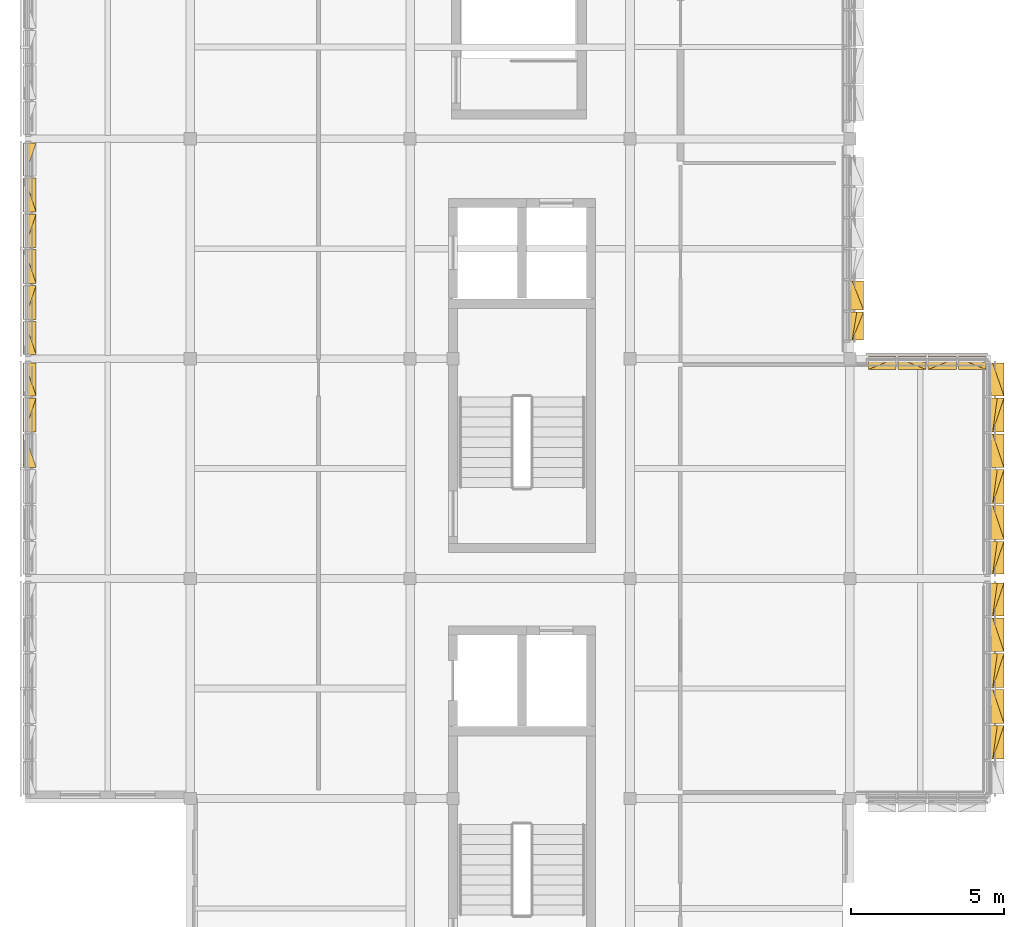
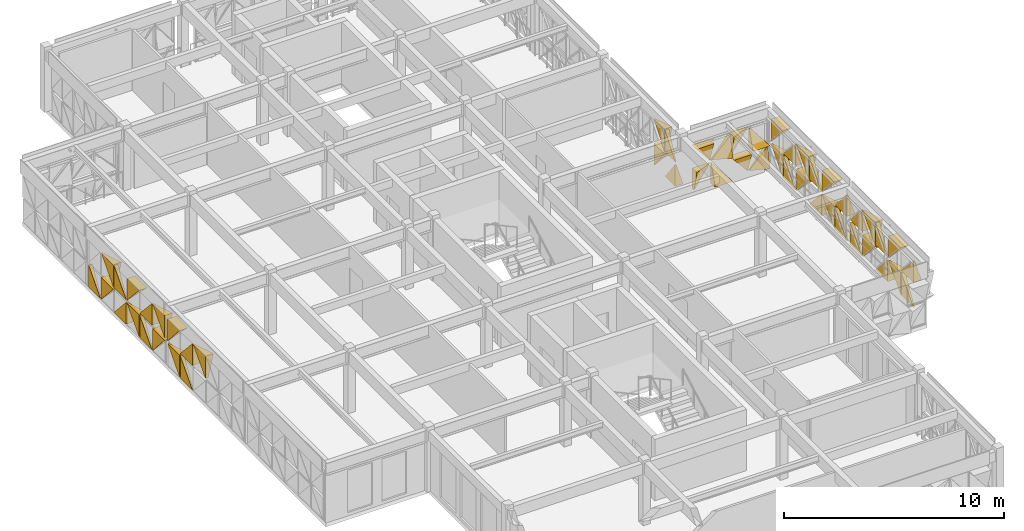
# One storey, part 23 of 25: 50 coverings.
"""IFC4 building model written with IfcOpenShell, lengths in metres."""

from ifc_helpers import new_model, si_unit, direction, frame, origin, place, context, subcontext, project, spatial, polygons, material, layer, layer_set, type_object, element, save


model = new_model("IFC4")

# Units and contexts
model_context = context("Model", 3, precision=1e-05, world=origin(), true_north=direction((0.0, 1.0)))
body_context = subcontext(model_context, "Body", "Model", "MODEL_VIEW")
ifc_project = project(units=[si_unit("LENGTHUNIT", "METRE"), si_unit("AREAUNIT", "SQUARE_METRE"), si_unit("VOLUMEUNIT", "CUBIC_METRE"), si_unit("PLANEANGLEUNIT", "RADIAN"), si_unit("MASSUNIT", "GRAM", prefix="KILO")], contexts=[model_context])

# Site, building, storey
site_placement = place(None, origin())
site = spatial("IfcSite", under=ifc_project, at=site_placement, CompositionType="ELEMENT")
building_placement = place(site_placement, origin())
building = spatial("IfcBuilding", under=site, at=building_placement, Name="Alvorim Cloister Faculty of Sciences", CompositionType="ELEMENT")
storey_placement = place(building_placement, frame((0.0, 0.0, 29.699951171875)))
storey = spatial("IfcBuildingStorey", under=building, at=storey_placement, Name="L08", CompositionType="ELEMENT", Elevation=29.699951171875)

# Coverings
ifc_material = material(Name="Perforated Bronze Alloy Sheet", Category="metal")
ifc_layer = layer(ifc_material, 0.0380859375)
ifc_layer_set = layer_set([ifc_layer], Name="Perforated Bronze Alloy Sheet")
covering_type = type_object("IfcCoveringType", Name="COV-TRI-BRZ", PredefinedType="CLADDING", material=ifc_layer_set)
covering_1_placement = place(storey_placement, frame((1.7548828125, 32.4326171875, 1.503662109375), z_axis=(0.0, 0.0, 1.0), x_axis=(0.0, 1.0, 0.0)))
element("IfcCovering", 1, at=covering_1_placement, inside=storey, type_object=covering_type, Name="Diagonal Solid Metal Triangle TRI-TL", PredefinedType="CLADDING", context=body_context, shape_type="Tessellation", body=[
    polygons([(1.1063984375, 0.0260009765625, 1.223388671875), (0.0, 0.0260009765625, 1.223388671875), (0.0, 0.0260009765625, 0.002), (1.1063984375, -0.03, 1.223388671875), (0.0, -0.4, 1.223388671875), (0.0, -0.13999999999999999, 0.002)], [[[1, 3, 2]], [[4, 5, 6]], [[1, 2, 5, 4]], [[2, 3, 6, 5]], [[3, 1, 4, 6]]], closed=True),
])
covering_2_placement = place(storey_placement, frame((1.7548828125, 33.605712890625, 0.14013671875), z_axis=(0.0, 0.0, 1.0), x_axis=(0.0, 1.0, 0.0)))
element("IfcCovering", 2, at=covering_2_placement, inside=storey, type_object=covering_type, Name="Diagonal Solid Metal Triangle TRI-BR", PredefinedType="CLADDING", context=body_context, shape_type="Tessellation", body=[
    polygons([(0.002, 0.0260009765625, 0.0), (1.1083984375, 0.0260009765625, 0.0), (1.1083984375, 0.0260009765625, 1.221388671875), (0.002, -0.03, 0.0), (1.1083984375, -0.4, 0.0), (1.1083984375, -0.18000000000000002, 1.221388671875)], [[[1, 3, 2]], [[4, 5, 6]], [[1, 2, 5, 4]], [[2, 3, 6, 5]], [[3, 1, 4, 6]]], closed=True),
])
covering_3_placement = place(storey_placement, frame((1.7548828125, 33.605712890625, 1.503662109375), z_axis=(0.0, 0.0, 1.0), x_axis=(0.0, 1.0, 0.0)))
element("IfcCovering", 3, at=covering_3_placement, inside=storey, type_object=covering_type, Name="Diagonal Solid Metal Triangle TRI-BL", PredefinedType="CLADDING", context=body_context, shape_type="Tessellation", body=[
    polygons([(0.0, 0.0260009765625, 0.0), (1.1063984375, 0.0260009765625, 0.0), (0.0, 0.0260009765625, 1.221388671875), (0.0, -0.4, 0.0), (1.1063984375, -0.4, 0.0), (0.0, -0.03, 1.221388671875)], [[[1, 3, 2]], [[4, 5, 6]], [[1, 2, 5, 4]], [[2, 3, 6, 5]], [[3, 1, 4, 6]]], closed=True),
])
covering_4_placement = place(storey_placement, frame((1.7548828125, 34.779052734375, 0.14013671875), z_axis=(0.0, 0.0, 1.0), x_axis=(0.0, 1.0, 0.0)))
element("IfcCovering", 4, at=covering_4_placement, inside=storey, type_object=covering_type, Name="Diagonal Solid Metal Triangle TRI-TL", PredefinedType="CLADDING", context=body_context, shape_type="Tessellation", body=[
    polygons([(1.073927734375, 0.0260009765625, 1.223388671875), (0.0, 0.0260009765625, 1.223388671875), (0.0, 0.0260009765625, 0.002), (1.073927734375, -0.03, 1.223388671875), (0.0, -0.4, 1.223388671875), (0.0, -0.13999999999999999, 0.002)], [[[1, 3, 2]], [[4, 5, 6]], [[1, 2, 5, 4]], [[2, 3, 6, 5]], [[3, 1, 4, 6]]], closed=True),
])
for number, where, z_axis, x_axis, name in (
    (5, (1.7548828125, 34.779052734375, 1.503662109375), (0.0, 0.0, 1.0), (0.0, 1.0, 0.0), "Diagonal Solid Metal Triangle TRI-TR"),
    (6, (1.7548828125, 36.14501953125, 0.14013671875), (0.0, 0.0, 1.0), (0.0, 1.0, 0.0), "Diagonal Solid Metal Triangle TRI-TR"),
):
    element("IfcCovering", number, at=place(storey_placement, frame(where, z_axis=z_axis, x_axis=x_axis)), inside=storey, type_object=covering_type, Name=name, PredefinedType="CLADDING", context=body_context, shape_type="Tessellation", body=[
        polygons([(1.075927734375, 0.0260009765625, 0.002), (1.075927734375, 0.0260009765625, 1.223388671875), (0.002, 0.0260009765625, 1.223388671875), (1.075927734375, -0.03, 0.002), (1.075927734375, -0.4, 1.223388671875), (0.002, -0.4, 1.223388671875)], [[[1, 3, 2]], [[4, 5, 6]], [[1, 2, 5, 4]], [[2, 3, 6, 5]], [[3, 1, 4, 6]]], closed=True),
    ])
covering_5_placement = place(storey_placement, frame((1.7548828125, 36.14501953125, 1.503662109375), z_axis=(0.0, 0.0, 1.0), x_axis=(0.0, 1.0, 0.0)))
element("IfcCovering", 7, at=covering_5_placement, inside=storey, type_object=covering_type, Name="Diagonal Solid Metal Triangle TRI-TL", PredefinedType="CLADDING", context=body_context, shape_type="Tessellation", body=[
    polygons([(1.073927734375, 0.0260009765625, 1.223388671875), (0.0, 0.0260009765625, 1.223388671875), (0.0, 0.0260009765625, 0.002), (1.073927734375, -0.03, 1.223388671875), (0.0, -0.4, 1.223388671875), (0.0, -0.13999999999999999, 0.002)], [[[1, 3, 2]], [[4, 5, 6]], [[1, 2, 5, 4]], [[2, 3, 6, 5]], [[3, 1, 4, 6]]], closed=True),
])
covering_6_placement = place(storey_placement, frame((1.7548828125, 37.285888671875, 0.14013671875), z_axis=(0.0, 0.0, 1.0), x_axis=(0.0, 1.0, 0.0)))
element("IfcCovering", 8, at=covering_6_placement, inside=storey, type_object=covering_type, Name="Diagonal Solid Metal Triangle TRI-BR", PredefinedType="CLADDING", context=body_context, shape_type="Tessellation", body=[
    polygons([(0.002, 0.0260009765625, 0.0), (1.1083984375, 0.0260009765625, 0.0), (1.1083984375, 0.0260009765625, 1.221388671875), (0.002, -0.03, 0.0), (1.1083984375, -0.4, 0.0), (1.1083984375, -0.18000000000000002, 1.221388671875)], [[[1, 3, 2]], [[4, 5, 6]], [[1, 2, 5, 4]], [[2, 3, 6, 5]], [[3, 1, 4, 6]]], closed=True),
])
covering_7_placement = place(storey_placement, frame((1.7548828125, 37.285888671875, 1.503662109375), z_axis=(0.0, 0.0, 1.0), x_axis=(0.0, 1.0, 0.0)))
element("IfcCovering", 9, at=covering_7_placement, inside=storey, type_object=covering_type, Name="Diagonal Solid Metal Triangle TRI-BL", PredefinedType="CLADDING", context=body_context, shape_type="Tessellation", body=[
    polygons([(0.0, 0.0260009765625, 0.0), (1.1063984375, 0.0260009765625, 0.0), (0.0, 0.0260009765625, 1.221388671875), (0.0, -0.4, 0.0), (1.1063984375, -0.4, 0.0), (0.0, -0.03, 1.221388671875)], [[[1, 3, 2]], [[4, 5, 6]], [[1, 2, 5, 4]], [[2, 3, 6, 5]], [[3, 1, 4, 6]]], closed=True),
])
covering_8_placement = place(storey_placement, frame((1.7548828125, 38.459228515625, 0.14013671875), z_axis=(0.0, 0.0, 1.0), x_axis=(0.0, 1.0, 0.0)))
element("IfcCovering", 10, at=covering_8_placement, inside=storey, type_object=covering_type, Name="Diagonal Solid Metal Triangle TRI-TL", PredefinedType="CLADDING", context=body_context, shape_type="Tessellation", body=[
    polygons([(1.1063984375, 0.0260009765625, 1.223388671875), (0.0, 0.0260009765625, 1.223388671875), (0.0, 0.0260009765625, 0.002), (1.1063984375, -0.03, 1.223388671875), (0.0, -0.4, 1.223388671875), (0.0, -0.13999999999999999, 0.002)], [[[1, 3, 2]], [[4, 5, 6]], [[1, 2, 5, 4]], [[2, 3, 6, 5]], [[3, 1, 4, 6]]], closed=True),
])
covering_9_placement = place(storey_placement, frame((1.7548828125, 38.459228515625, 1.503662109375), z_axis=(0.0, 0.0, 1.0), x_axis=(0.0, 1.0, 0.0)))
element("IfcCovering", 11, at=covering_9_placement, inside=storey, type_object=covering_type, Name="Diagonal Solid Metal Triangle TRI-TR", PredefinedType="CLADDING", context=body_context, shape_type="Tessellation", body=[
    polygons([(1.1083984375, 0.0260009765625, 0.002), (1.1083984375, 0.0260009765625, 1.223388671875), (0.002, 0.0260009765625, 1.223388671875), (1.1083984375, -0.03, 0.002), (1.1083984375, -0.4, 1.223388671875), (0.002, -0.4, 1.223388671875)], [[[1, 3, 2]], [[4, 5, 6]], [[1, 2, 5, 4]], [[2, 3, 6, 5]], [[3, 1, 4, 6]]], closed=True),
])
covering_10_placement = place(storey_placement, frame((1.7548828125, 39.632568359375, 0.14013671875), z_axis=(0.0, 0.0, 1.0), x_axis=(0.0, 1.0, 0.0)))
element("IfcCovering", 12, at=covering_10_placement, inside=storey, type_object=covering_type, Name="Diagonal Solid Metal Triangle TRI-BL", PredefinedType="CLADDING", context=body_context, shape_type="Tessellation", body=[
    polygons([(0.0, 0.0260009765625, 0.0), (1.1063984375, 0.0260009765625, 0.0), (0.0, 0.0260009765625, 1.221388671875), (0.0, -0.4, 0.0), (1.1063984375, -0.4, 0.0), (0.0, -0.03, 1.221388671875)], [[[1, 3, 2]], [[4, 5, 6]], [[1, 2, 5, 4]], [[2, 3, 6, 5]], [[3, 1, 4, 6]]], closed=True),
])
covering_11_placement = place(storey_placement, frame((1.7548828125, 39.632568359375, 1.503662109375), z_axis=(0.0, 0.0, 1.0), x_axis=(0.0, 1.0, 0.0)))
element("IfcCovering", 13, at=covering_11_placement, inside=storey, type_object=covering_type, Name="Diagonal Solid Metal Triangle TRI-BR", PredefinedType="CLADDING", context=body_context, shape_type="Tessellation", body=[
    polygons([(0.002, 0.0260009765625, 0.0), (1.1083984375, 0.0260009765625, 0.0), (1.1083984375, 0.0260009765625, 1.221388671875), (0.002, -0.03, 0.0), (1.1083984375, -0.4, 0.0), (1.1083984375, -0.18000000000000002, 1.221388671875)], [[[1, 3, 2]], [[4, 5, 6]], [[1, 2, 5, 4]], [[2, 3, 6, 5]], [[3, 1, 4, 6]]], closed=True),
])
covering_12_placement = place(storey_placement, frame((1.7548828125, 40.805908203125, 0.14013671875), z_axis=(0.0, 0.0, 1.0), x_axis=(0.0, 1.0, 0.0)))
element("IfcCovering", 14, at=covering_12_placement, inside=storey, type_object=covering_type, Name="Diagonal Solid Metal Triangle TRI-TR", PredefinedType="CLADDING", context=body_context, shape_type="Tessellation", body=[
    polygons([(1.1083984375, 0.0260009765625, 0.002), (1.1083984375, 0.0260009765625, 1.223388671875), (0.002, 0.0260009765625, 1.223388671875), (1.1083984375, -0.03, 0.002), (1.1083984375, -0.4, 1.223388671875), (0.002, -0.4, 1.223388671875)], [[[1, 3, 2]], [[4, 5, 6]], [[1, 2, 5, 4]], [[2, 3, 6, 5]], [[3, 1, 4, 6]]], closed=True),
])
covering_13_placement = place(storey_placement, frame((1.7548828125, 40.805908203125, 1.503662109375), z_axis=(0.0, 0.0, 1.0), x_axis=(0.0, 1.0, 0.0)))
element("IfcCovering", 15, at=covering_13_placement, inside=storey, type_object=covering_type, Name="Diagonal Solid Metal Triangle TRI-TL", PredefinedType="CLADDING", context=body_context, shape_type="Tessellation", body=[
    polygons([(1.1063984375, 0.0260009765625, 1.223388671875), (0.0, 0.0260009765625, 1.223388671875), (0.0, 0.0260009765625, 0.002), (1.1063984375, -0.03, 1.223388671875), (0.0, -0.4, 1.223388671875), (0.0, -0.13999999999999999, 0.002)], [[[1, 3, 2]], [[4, 5, 6]], [[1, 2, 5, 4]], [[2, 3, 6, 5]], [[3, 1, 4, 6]]], closed=True),
])
covering_14_placement = place(storey_placement, frame((1.7548828125, 41.979248046875, 0.14013671875), z_axis=(0.0, 0.0, 1.0), x_axis=(0.0, 1.0, 0.0)))
element("IfcCovering", 16, at=covering_14_placement, inside=storey, type_object=covering_type, Name="Diagonal Solid Metal Triangle TRI-BR", PredefinedType="CLADDING", context=body_context, shape_type="Tessellation", body=[
    polygons([(0.002, 0.0260009765625, 0.0), (1.075927734375, 0.0260009765625, 0.0), (1.075927734375, 0.0260009765625, 1.221388671875), (0.002, -0.03, 0.0), (1.075927734375, -0.4, 0.0), (1.075927734375, -0.18000000000000002, 1.221388671875)], [[[1, 3, 2]], [[4, 5, 6]], [[1, 2, 5, 4]], [[2, 3, 6, 5]], [[3, 1, 4, 6]]], closed=True),
])
covering_15_placement = place(storey_placement, frame((28.844970703125, 36.60498046875, 0.14013671875), z_axis=(0.0, 0.0, 1.0), x_axis=(0.0, 1.0, 0.0)))
element("IfcCovering", 17, at=covering_15_placement, inside=storey, type_object=covering_type, Name="Diagonal Solid Metal Triangle TRI-BL", PredefinedType="CLADDING", context=body_context, shape_type="Tessellation", body=[
    polygons([(0.0, 0.0260009765625, 0.0), (0.920607421875, 0.0260009765625, 0.0), (0.0, 0.0260009765625, 1.217970703125), (0.0, -0.4, 0.0), (0.920607421875, -0.4, 0.0), (0.0, -0.03, 1.217970703125)], [[[1, 3, 2]], [[4, 5, 6]], [[1, 2, 5, 4]], [[2, 3, 6, 5]], [[3, 1, 4, 6]]], closed=True),
])
covering_16_placement = place(storey_placement, frame((28.844970703125, 36.60498046875, 1.5), z_axis=(0.0, 0.0, 1.0), x_axis=(0.0, 1.0, 0.0)))
element("IfcCovering", 18, at=covering_16_placement, inside=storey, type_object=covering_type, Name="Diagonal Solid Metal Triangle TRI-BR", PredefinedType="CLADDING", context=body_context, shape_type="Tessellation", body=[
    polygons([(0.002, 0.0260009765625, 0.0), (0.922607421875, 0.0260009765625, 0.0), (0.922607421875, 0.0260009765625, 1.217970703125), (0.002, -0.03, 0.0), (0.922607421875, -0.4, 0.0), (0.922607421875, -0.18000000000000002, 1.217970703125)], [[[1, 3, 2]], [[4, 5, 6]], [[1, 2, 5, 4]], [[2, 3, 6, 5]], [[3, 1, 4, 6]]], closed=True),
])
covering_17_placement = place(storey_placement, frame((28.844970703125, 37.592529296875, 0.14013671875), z_axis=(0.0, 0.0, 1.0), x_axis=(0.0, 1.0, 0.0)))
element("IfcCovering", 19, at=covering_17_placement, inside=storey, type_object=covering_type, Name="Diagonal Solid Metal Triangle TRI-TR", PredefinedType="CLADDING", context=body_context, shape_type="Tessellation", body=[
    polygons([(0.955078125, 0.0260009765625, 0.002), (0.955078125, 0.0260009765625, 1.219970703125), (0.002, 0.0260009765625, 1.219970703125), (0.955078125, -0.03, 0.002), (0.955078125, -0.4, 1.219970703125), (0.002, -0.4, 1.219970703125)], [[[1, 3, 2]], [[4, 5, 6]], [[1, 2, 5, 4]], [[2, 3, 6, 5]], [[3, 1, 4, 6]]], closed=True),
])
covering_18_placement = place(storey_placement, frame((28.844970703125, 37.592529296875, 1.5), z_axis=(0.0, 0.0, 1.0), x_axis=(0.0, 1.0, 0.0)))
element("IfcCovering", 20, at=covering_18_placement, inside=storey, type_object=covering_type, Name="Diagonal Solid Metal Triangle TRI-TL", PredefinedType="CLADDING", context=body_context, shape_type="Tessellation", body=[
    polygons([(0.953078125, 0.0260009765625, 1.219970703125), (0.0, 0.0260009765625, 1.219970703125), (0.0, 0.0260009765625, 0.002), (0.953078125, -0.03, 1.219970703125), (0.0, -0.4, 1.219970703125), (0.0, -0.13999999999999999, 0.002)], [[[1, 3, 2]], [[4, 5, 6]], [[1, 2, 5, 4]], [[2, 3, 6, 5]], [[3, 1, 4, 6]]], closed=True),
])
covering_19_placement = place(storey_placement, frame((29.405029296875, 36.044921875, 0.14013671875), z_axis=(0.0, 0.0, 1.0), x_axis=(1.0, 0.0, 0.0)))
element("IfcCovering", 21, at=covering_19_placement, inside=storey, type_object=covering_type, Name="Diagonal Solid Metal Triangle TRI-TL", PredefinedType="CLADDING", context=body_context, shape_type="Tessellation", body=[
    polygons([(0.8954609375, 0.0260009765625, 1.14794921875), (0.0, 0.0260009765625, 1.14794921875), (0.0, 0.0260009765625, 0.002), (0.8954609375, -0.03, 1.14794921875), (0.0, -0.4, 1.14794921875), (0.0, -0.13999999999999999, 0.002)], [[[1, 3, 2]], [[4, 5, 6]], [[1, 2, 5, 4]], [[2, 3, 6, 5]], [[3, 1, 4, 6]]], closed=True),
])
covering_20_placement = place(storey_placement, frame((29.405029296875, 36.044921875, 1.427978515625), z_axis=(0.0, 0.0, 1.0), x_axis=(1.0, 0.0, 0.0)))
element("IfcCovering", 22, at=covering_20_placement, inside=storey, type_object=covering_type, Name="Diagonal Solid Metal Triangle TRI-TR", PredefinedType="CLADDING", context=body_context, shape_type="Tessellation", body=[
    polygons([(0.8974609375, 0.0260009765625, 0.002), (0.8974609375, 0.0260009765625, 1.14794921875), (0.002, 0.0260009765625, 1.14794921875), (0.8974609375, -0.03, 0.002), (0.8974609375, -0.4, 1.14794921875), (0.002, -0.4, 1.14794921875)], [[[1, 3, 2]], [[4, 5, 6]], [[1, 2, 5, 4]], [[2, 3, 6, 5]], [[3, 1, 4, 6]]], closed=True),
])
covering_21_placement = place(storey_placement, frame((30.367431640625, 36.044921875, 0.14013671875), z_axis=(0.0, 0.0, 1.0), x_axis=(1.0, 0.0, 0.0)))
element("IfcCovering", 23, at=covering_21_placement, inside=storey, type_object=covering_type, Name="Diagonal Solid Metal Triangle TRI-BL", PredefinedType="CLADDING", context=body_context, shape_type="Tessellation", body=[
    polygons([(0.0, 0.0260009765625, 0.0), (0.927931640625, 0.0260009765625, 0.0), (0.0, 0.0260009765625, 1.14594921875), (0.0, -0.4, 0.0), (0.927931640625, -0.4, 0.0), (0.0, -0.03, 1.14594921875)], [[[1, 3, 2]], [[4, 5, 6]], [[1, 2, 5, 4]], [[2, 3, 6, 5]], [[3, 1, 4, 6]]], closed=True),
])
covering_22_placement = place(storey_placement, frame((30.367431640625, 36.044921875, 1.427978515625), z_axis=(0.0, 0.0, 1.0), x_axis=(1.0, 0.0, 0.0)))
element("IfcCovering", 24, at=covering_22_placement, inside=storey, type_object=covering_type, Name="Diagonal Solid Metal Triangle TRI-BR", PredefinedType="CLADDING", context=body_context, shape_type="Tessellation", body=[
    polygons([(0.002, 0.0260009765625, 0.0), (0.929931640625, 0.0260009765625, 0.0), (0.929931640625, 0.0260009765625, 1.14594921875), (0.002, -0.03, 0.0), (0.929931640625, -0.4, 0.0), (0.929931640625, -0.18000000000000002, 1.14594921875)], [[[1, 3, 2]], [[4, 5, 6]], [[1, 2, 5, 4]], [[2, 3, 6, 5]], [[3, 1, 4, 6]]], closed=True),
])
covering_23_placement = place(storey_placement, frame((31.362548828125, 36.044921875, 0.14013671875), z_axis=(0.0, 0.0, 1.0), x_axis=(1.0, 0.0, 0.0)))
element("IfcCovering", 25, at=covering_23_placement, inside=storey, type_object=covering_type, Name="Diagonal Solid Metal Triangle TRI-TR", PredefinedType="CLADDING", context=body_context, shape_type="Tessellation", body=[
    polygons([(0.929931640625, 0.0260009765625, 0.002), (0.929931640625, 0.0260009765625, 1.14794921875), (0.002, 0.0260009765625, 1.14794921875), (0.929931640625, -0.03, 0.002), (0.929931640625, -0.4, 1.14794921875), (0.002, -0.4, 1.14794921875)], [[[1, 3, 2]], [[4, 5, 6]], [[1, 2, 5, 4]], [[2, 3, 6, 5]], [[3, 1, 4, 6]]], closed=True),
])
covering_24_placement = place(storey_placement, frame((31.362548828125, 36.044921875, 1.427978515625), z_axis=(0.0, 0.0, 1.0), x_axis=(1.0, 0.0, 0.0)))
element("IfcCovering", 26, at=covering_24_placement, inside=storey, type_object=covering_type, Name="Diagonal Solid Metal Triangle TRI-TL", PredefinedType="CLADDING", context=body_context, shape_type="Tessellation", body=[
    polygons([(0.927931640625, 0.0260009765625, 1.14794921875), (0.0, 0.0260009765625, 1.14794921875), (0.0, 0.0260009765625, 0.002), (0.927931640625, -0.03, 1.14794921875), (0.0, -0.4, 1.14794921875), (0.0, -0.13999999999999999, 0.002)], [[[1, 3, 2]], [[4, 5, 6]], [[1, 2, 5, 4]], [[2, 3, 6, 5]], [[3, 1, 4, 6]]], closed=True),
])
covering_25_placement = place(storey_placement, frame((32.357421875, 36.044921875, 0.14013671875), z_axis=(0.0, 0.0, 1.0), x_axis=(1.0, 0.0, 0.0)))
element("IfcCovering", 27, at=covering_25_placement, inside=storey, type_object=covering_type, Name="Diagonal Solid Metal Triangle TRI-BR", PredefinedType="CLADDING", context=body_context, shape_type="Tessellation", body=[
    polygons([(0.002, 0.0260009765625, 0.0), (0.8974609375, 0.0260009765625, 0.0), (0.8974609375, 0.0260009765625, 1.14594921875), (0.002, -0.03, 0.0), (0.8974609375, -0.4, 0.0), (0.8974609375, -0.18000000000000002, 1.14594921875)], [[[1, 3, 2]], [[4, 5, 6]], [[1, 2, 5, 4]], [[2, 3, 6, 5]], [[3, 1, 4, 6]]], closed=True),
])
covering_26_placement = place(storey_placement, frame((32.357421875, 36.044921875, 1.427978515625), z_axis=(0.0, 0.0, 1.0), x_axis=(1.0, 0.0, 0.0)))
element("IfcCovering", 28, at=covering_26_placement, inside=storey, type_object=covering_type, Name="Diagonal Solid Metal Triangle TRI-BL", PredefinedType="CLADDING", context=body_context, shape_type="Tessellation", body=[
    polygons([(0.0, 0.0260009765625, 0.0), (0.8954609375, 0.0260009765625, 0.0), (0.0, 0.0260009765625, 1.14594921875), (0.0, -0.4, 0.0), (0.8954609375, -0.4, 0.0), (0.0, -0.03, 1.14594921875)], [[[1, 3, 2]], [[4, 5, 6]], [[1, 2, 5, 4]], [[2, 3, 6, 5]], [[3, 1, 4, 6]]], closed=True),
])
covering_27_placement = place(storey_placement, frame((33.445068359375, 28.945068359375, 0.14013671875), z_axis=(0.0, 0.0, 1.0), x_axis=(0.0, 1.0, 0.0)))
element("IfcCovering", 29, at=covering_27_placement, inside=storey, type_object=covering_type, Name="Diagonal Solid Metal Triangle TRI-BR", PredefinedType="CLADDING", context=body_context, shape_type="Tessellation", body=[
    polygons([(0.002, 0.0260009765625, 0.0), (1.075927734375, 0.0260009765625, 0.0), (1.075927734375, 0.0260009765625, 1.221388671875), (0.002, -0.03, 0.0), (1.075927734375, -0.4, 0.0), (1.075927734375, -0.18000000000000002, 1.221388671875)], [[[1, 3, 2]], [[4, 5, 6]], [[1, 2, 5, 4]], [[2, 3, 6, 5]], [[3, 1, 4, 6]]], closed=True),
])
covering_28_placement = place(storey_placement, frame((33.445068359375, 28.945068359375, 1.503662109375), z_axis=(0.0, 0.0, 1.0), x_axis=(0.0, 1.0, 0.0)))
element("IfcCovering", 30, at=covering_28_placement, inside=storey, type_object=covering_type, Name="Diagonal Solid Metal Triangle TRI-BL", PredefinedType="CLADDING", context=body_context, shape_type="Tessellation", body=[
    polygons([(0.0, 0.0260009765625, 0.0), (1.073927734375, 0.0260009765625, 0.0), (0.0, 0.0260009765625, 1.221388671875), (0.0, -0.4, 0.0), (1.073927734375, -0.4, 0.0), (0.0, -0.03, 1.221388671875)], [[[1, 3, 2]], [[4, 5, 6]], [[1, 2, 5, 4]], [[2, 3, 6, 5]], [[3, 1, 4, 6]]], closed=True),
])
covering_29_placement = place(storey_placement, frame((33.445068359375, 30.0859375, 0.14013671875), z_axis=(0.0, 0.0, 1.0), x_axis=(0.0, 1.0, 0.0)))
element("IfcCovering", 31, at=covering_29_placement, inside=storey, type_object=covering_type, Name="Diagonal Solid Metal Triangle TRI-TL", PredefinedType="CLADDING", context=body_context, shape_type="Tessellation", body=[
    polygons([(1.1063984375, 0.0260009765625, 1.223388671875), (0.0, 0.0260009765625, 1.223388671875), (0.0, 0.0260009765625, 0.002), (1.1063984375, -0.03, 1.223388671875), (0.0, -0.4, 1.223388671875), (0.0, -0.13999999999999999, 0.002)], [[[1, 3, 2]], [[4, 5, 6]], [[1, 2, 5, 4]], [[2, 3, 6, 5]], [[3, 1, 4, 6]]], closed=True),
])
covering_30_placement = place(storey_placement, frame((33.445068359375, 30.0859375, 1.503662109375), z_axis=(0.0, 0.0, 1.0), x_axis=(0.0, 1.0, 0.0)))
element("IfcCovering", 32, at=covering_30_placement, inside=storey, type_object=covering_type, Name="Diagonal Solid Metal Triangle TRI-TR", PredefinedType="CLADDING", context=body_context, shape_type="Tessellation", body=[
    polygons([(1.1083984375, 0.0260009765625, 0.002), (1.1083984375, 0.0260009765625, 1.223388671875), (0.002, 0.0260009765625, 1.223388671875), (1.1083984375, -0.03, 0.002), (1.1083984375, -0.4, 1.223388671875), (0.002, -0.4, 1.223388671875)], [[[1, 3, 2]], [[4, 5, 6]], [[1, 2, 5, 4]], [[2, 3, 6, 5]], [[3, 1, 4, 6]]], closed=True),
])
covering_31_placement = place(storey_placement, frame((33.445068359375, 31.25927734375, 0.14013671875), z_axis=(0.0, 0.0, 1.0), x_axis=(0.0, 1.0, 0.0)))
element("IfcCovering", 33, at=covering_31_placement, inside=storey, type_object=covering_type, Name="Diagonal Solid Metal Triangle TRI-BL", PredefinedType="CLADDING", context=body_context, shape_type="Tessellation", body=[
    polygons([(0.0, 0.0260009765625, 0.0), (1.1063984375, 0.0260009765625, 0.0), (0.0, 0.0260009765625, 1.221388671875), (0.0, -0.4, 0.0), (1.1063984375, -0.4, 0.0), (0.0, -0.03, 1.221388671875)], [[[1, 3, 2]], [[4, 5, 6]], [[1, 2, 5, 4]], [[2, 3, 6, 5]], [[3, 1, 4, 6]]], closed=True),
])
covering_32_placement = place(storey_placement, frame((33.445068359375, 31.25927734375, 1.503662109375), z_axis=(0.0, 0.0, 1.0), x_axis=(0.0, 1.0, 0.0)))
element("IfcCovering", 34, at=covering_32_placement, inside=storey, type_object=covering_type, Name="Diagonal Solid Metal Triangle TRI-BR", PredefinedType="CLADDING", context=body_context, shape_type="Tessellation", body=[
    polygons([(0.002, 0.0260009765625, 0.0), (1.1083984375, 0.0260009765625, 0.0), (1.1083984375, 0.0260009765625, 1.221388671875), (0.002, -0.03, 0.0), (1.1083984375, -0.4, 0.0), (1.1083984375, -0.18000000000000002, 1.221388671875)], [[[1, 3, 2]], [[4, 5, 6]], [[1, 2, 5, 4]], [[2, 3, 6, 5]], [[3, 1, 4, 6]]], closed=True),
])
covering_33_placement = place(storey_placement, frame((33.445068359375, 32.4326171875, 0.14013671875), z_axis=(0.0, 0.0, 1.0), x_axis=(0.0, 1.0, 0.0)))
element("IfcCovering", 35, at=covering_33_placement, inside=storey, type_object=covering_type, Name="Diagonal Solid Metal Triangle TRI-TR", PredefinedType="CLADDING", context=body_context, shape_type="Tessellation", body=[
    polygons([(1.1083984375, 0.0260009765625, 0.002), (1.1083984375, 0.0260009765625, 1.223388671875), (0.002, 0.0260009765625, 1.223388671875), (1.1083984375, -0.03, 0.002), (1.1083984375, -0.4, 1.223388671875), (0.002, -0.4, 1.223388671875)], [[[1, 3, 2]], [[4, 5, 6]], [[1, 2, 5, 4]], [[2, 3, 6, 5]], [[3, 1, 4, 6]]], closed=True),
])
covering_34_placement = place(storey_placement, frame((33.445068359375, 32.4326171875, 1.503662109375), z_axis=(0.0, 0.0, 1.0), x_axis=(0.0, 1.0, 0.0)))
element("IfcCovering", 36, at=covering_34_placement, inside=storey, type_object=covering_type, Name="Diagonal Solid Metal Triangle TRI-TL", PredefinedType="CLADDING", context=body_context, shape_type="Tessellation", body=[
    polygons([(1.1063984375, 0.0260009765625, 1.223388671875), (0.0, 0.0260009765625, 1.223388671875), (0.0, 0.0260009765625, 0.002), (1.1063984375, -0.03, 1.223388671875), (0.0, -0.4, 1.223388671875), (0.0, -0.13999999999999999, 0.002)], [[[1, 3, 2]], [[4, 5, 6]], [[1, 2, 5, 4]], [[2, 3, 6, 5]], [[3, 1, 4, 6]]], closed=True),
])
covering_35_placement = place(storey_placement, frame((33.445068359375, 33.605712890625, 0.14013671875), z_axis=(0.0, 0.0, 1.0), x_axis=(0.0, 1.0, 0.0)))
element("IfcCovering", 37, at=covering_35_placement, inside=storey, type_object=covering_type, Name="Diagonal Solid Metal Triangle TRI-BR", PredefinedType="CLADDING", context=body_context, shape_type="Tessellation", body=[
    polygons([(0.002, 0.0260009765625, 0.0), (1.1083984375, 0.0260009765625, 0.0), (1.1083984375, 0.0260009765625, 1.221388671875), (0.002, -0.03, 0.0), (1.1083984375, -0.4, 0.0), (1.1083984375, -0.18000000000000002, 1.221388671875)], [[[1, 3, 2]], [[4, 5, 6]], [[1, 2, 5, 4]], [[2, 3, 6, 5]], [[3, 1, 4, 6]]], closed=True),
])
covering_36_placement = place(storey_placement, frame((33.445068359375, 33.605712890625, 1.503662109375), z_axis=(0.0, 0.0, 1.0), x_axis=(0.0, 1.0, 0.0)))
element("IfcCovering", 38, at=covering_36_placement, inside=storey, type_object=covering_type, Name="Diagonal Solid Metal Triangle TRI-BL", PredefinedType="CLADDING", context=body_context, shape_type="Tessellation", body=[
    polygons([(0.0, 0.0260009765625, 0.0), (1.1063984375, 0.0260009765625, 0.0), (0.0, 0.0260009765625, 1.221388671875), (0.0, -0.4, 0.0), (1.1063984375, -0.4, 0.0), (0.0, -0.03, 1.221388671875)], [[[1, 3, 2]], [[4, 5, 6]], [[1, 2, 5, 4]], [[2, 3, 6, 5]], [[3, 1, 4, 6]]], closed=True),
])
covering_37_placement = place(storey_placement, frame((33.445068359375, 34.779052734375, 0.14013671875), z_axis=(0.0, 0.0, 1.0), x_axis=(0.0, 1.0, 0.0)))
element("IfcCovering", 39, at=covering_37_placement, inside=storey, type_object=covering_type, Name="Diagonal Solid Metal Triangle TRI-TL", PredefinedType="CLADDING", context=body_context, shape_type="Tessellation", body=[
    polygons([(1.073927734375, 0.0260009765625, 1.223388671875), (0.0, 0.0260009765625, 1.223388671875), (0.0, 0.0260009765625, 0.002), (1.073927734375, -0.03, 1.223388671875), (0.0, -0.4, 1.223388671875), (0.0, -0.13999999999999999, 0.002)], [[[1, 3, 2]], [[4, 5, 6]], [[1, 2, 5, 4]], [[2, 3, 6, 5]], [[3, 1, 4, 6]]], closed=True),
])
covering_38_placement = place(storey_placement, frame((33.445068359375, 34.779052734375, 1.503662109375), z_axis=(0.0, 0.0, 1.0), x_axis=(0.0, 1.0, 0.0)))
element("IfcCovering", 40, at=covering_38_placement, inside=storey, type_object=covering_type, Name="Diagonal Solid Metal Triangle TRI-TR", PredefinedType="CLADDING", context=body_context, shape_type="Tessellation", body=[
    polygons([(1.075927734375, 0.0260009765625, 0.002), (1.075927734375, 0.0260009765625, 1.223388671875), (0.002, 0.0260009765625, 1.223388671875), (1.075927734375, -0.03, 0.002), (1.075927734375, -0.4, 1.223388671875), (0.002, -0.4, 1.223388671875)], [[[1, 3, 2]], [[4, 5, 6]], [[1, 2, 5, 4]], [[2, 3, 6, 5]], [[3, 1, 4, 6]]], closed=True),
])
covering_39_placement = place(storey_placement, frame((33.445068359375, 22.8857421875, 0.14013671875), z_axis=(0.0, 0.0, 1.0), x_axis=(0.0, 1.0, 0.0)))
element("IfcCovering", 41, at=covering_39_placement, inside=storey, type_object=covering_type, Name="Diagonal Solid Metal Triangle TRI-BR", PredefinedType="CLADDING", context=body_context, shape_type="Tessellation", body=[
    polygons([(0.002, 0.0260009765625, 0.0), (1.1083984375, 0.0260009765625, 0.0), (1.1083984375, 0.0260009765625, 1.221388671875), (0.002, -0.03, 0.0), (1.1083984375, -0.4, 0.0), (1.1083984375, -0.18000000000000002, 1.221388671875)], [[[1, 3, 2]], [[4, 5, 6]], [[1, 2, 5, 4]], [[2, 3, 6, 5]], [[3, 1, 4, 6]]], closed=True),
])
covering_40_placement = place(storey_placement, frame((33.445068359375, 22.8857421875, 1.503662109375), z_axis=(0.0, 0.0, 1.0), x_axis=(0.0, 1.0, 0.0)))
element("IfcCovering", 42, at=covering_40_placement, inside=storey, type_object=covering_type, Name="Diagonal Solid Metal Triangle TRI-BL", PredefinedType="CLADDING", context=body_context, shape_type="Tessellation", body=[
    polygons([(0.0, 0.0260009765625, 0.0), (1.1063984375, 0.0260009765625, 0.0), (0.0, 0.0260009765625, 1.221388671875), (0.0, -0.4, 0.0), (1.1063984375, -0.4, 0.0), (0.0, -0.03, 1.221388671875)], [[[1, 3, 2]], [[4, 5, 6]], [[1, 2, 5, 4]], [[2, 3, 6, 5]], [[3, 1, 4, 6]]], closed=True),
])
covering_41_placement = place(storey_placement, frame((33.445068359375, 24.05908203125, 0.14013671875), z_axis=(0.0, 0.0, 1.0), x_axis=(0.0, 1.0, 0.0)))
element("IfcCovering", 43, at=covering_41_placement, inside=storey, type_object=covering_type, Name="Diagonal Solid Metal Triangle TRI-TL", PredefinedType="CLADDING", context=body_context, shape_type="Tessellation", body=[
    polygons([(1.1063984375, 0.0260009765625, 1.223388671875), (0.0, 0.0260009765625, 1.223388671875), (0.0, 0.0260009765625, 0.002), (1.1063984375, -0.03, 1.223388671875), (0.0, -0.4, 1.223388671875), (0.0, -0.13999999999999999, 0.002)], [[[1, 3, 2]], [[4, 5, 6]], [[1, 2, 5, 4]], [[2, 3, 6, 5]], [[3, 1, 4, 6]]], closed=True),
])
covering_42_placement = place(storey_placement, frame((33.445068359375, 24.05908203125, 1.503662109375), z_axis=(0.0, 0.0, 1.0), x_axis=(0.0, 1.0, 0.0)))
element("IfcCovering", 44, at=covering_42_placement, inside=storey, type_object=covering_type, Name="Diagonal Solid Metal Triangle TRI-TR", PredefinedType="CLADDING", context=body_context, shape_type="Tessellation", body=[
    polygons([(1.1083984375, 0.0260009765625, 0.002), (1.1083984375, 0.0260009765625, 1.223388671875), (0.002, 0.0260009765625, 1.223388671875), (1.1083984375, -0.03, 0.002), (1.1083984375, -0.4, 1.223388671875), (0.002, -0.4, 1.223388671875)], [[[1, 3, 2]], [[4, 5, 6]], [[1, 2, 5, 4]], [[2, 3, 6, 5]], [[3, 1, 4, 6]]], closed=True),
])
covering_43_placement = place(storey_placement, frame((33.445068359375, 25.232421875, 0.14013671875), z_axis=(0.0, 0.0, 1.0), x_axis=(0.0, 1.0, 0.0)))
element("IfcCovering", 45, at=covering_43_placement, inside=storey, type_object=covering_type, Name="Diagonal Solid Metal Triangle TRI-BL", PredefinedType="CLADDING", context=body_context, shape_type="Tessellation", body=[
    polygons([(0.0, 0.0260009765625, 0.0), (1.1063984375, 0.0260009765625, 0.0), (0.0, 0.0260009765625, 1.221388671875), (0.0, -0.4, 0.0), (1.1063984375, -0.4, 0.0), (0.0, -0.03, 1.221388671875)], [[[1, 3, 2]], [[4, 5, 6]], [[1, 2, 5, 4]], [[2, 3, 6, 5]], [[3, 1, 4, 6]]], closed=True),
])
covering_44_placement = place(storey_placement, frame((33.445068359375, 25.232421875, 1.503662109375), z_axis=(0.0, 0.0, 1.0), x_axis=(0.0, 1.0, 0.0)))
element("IfcCovering", 46, at=covering_44_placement, inside=storey, type_object=covering_type, Name="Diagonal Solid Metal Triangle TRI-BR", PredefinedType="CLADDING", context=body_context, shape_type="Tessellation", body=[
    polygons([(0.002, 0.0260009765625, 0.0), (1.1083984375, 0.0260009765625, 0.0), (1.1083984375, 0.0260009765625, 1.221388671875), (0.002, -0.03, 0.0), (1.1083984375, -0.4, 0.0), (1.1083984375, -0.18000000000000002, 1.221388671875)], [[[1, 3, 2]], [[4, 5, 6]], [[1, 2, 5, 4]], [[2, 3, 6, 5]], [[3, 1, 4, 6]]], closed=True),
])
covering_45_placement = place(storey_placement, frame((33.445068359375, 26.40576171875, 0.14013671875), z_axis=(0.0, 0.0, 1.0), x_axis=(0.0, 1.0, 0.0)))
element("IfcCovering", 47, at=covering_45_placement, inside=storey, type_object=covering_type, Name="Diagonal Solid Metal Triangle TRI-TR", PredefinedType="CLADDING", context=body_context, shape_type="Tessellation", body=[
    polygons([(1.1083984375, 0.0260009765625, 0.002), (1.1083984375, 0.0260009765625, 1.223388671875), (0.002, 0.0260009765625, 1.223388671875), (1.1083984375, -0.03, 0.002), (1.1083984375, -0.4, 1.223388671875), (0.002, -0.4, 1.223388671875)], [[[1, 3, 2]], [[4, 5, 6]], [[1, 2, 5, 4]], [[2, 3, 6, 5]], [[3, 1, 4, 6]]], closed=True),
])
covering_46_placement = place(storey_placement, frame((33.445068359375, 26.40576171875, 1.503662109375), z_axis=(0.0, 0.0, 1.0), x_axis=(0.0, 1.0, 0.0)))
element("IfcCovering", 48, at=covering_46_placement, inside=storey, type_object=covering_type, Name="Diagonal Solid Metal Triangle TRI-TL", PredefinedType="CLADDING", context=body_context, shape_type="Tessellation", body=[
    polygons([(1.1063984375, 0.0260009765625, 1.223388671875), (0.0, 0.0260009765625, 1.223388671875), (0.0, 0.0260009765625, 0.002), (1.1063984375, -0.03, 1.223388671875), (0.0, -0.4, 1.223388671875), (0.0, -0.13999999999999999, 0.002)], [[[1, 3, 2]], [[4, 5, 6]], [[1, 2, 5, 4]], [[2, 3, 6, 5]], [[3, 1, 4, 6]]], closed=True),
])
covering_47_placement = place(storey_placement, frame((33.445068359375, 27.5791015625, 0.14013671875), z_axis=(0.0, 0.0, 1.0), x_axis=(0.0, 1.0, 0.0)))
element("IfcCovering", 49, at=covering_47_placement, inside=storey, type_object=covering_type, Name="Diagonal Solid Metal Triangle TRI-BR", PredefinedType="CLADDING", context=body_context, shape_type="Tessellation", body=[
    polygons([(0.002, 0.0260009765625, 0.0), (1.075927734375, 0.0260009765625, 0.0), (1.075927734375, 0.0260009765625, 1.221388671875), (0.002, -0.03, 0.0), (1.075927734375, -0.4, 0.0), (1.075927734375, -0.18000000000000002, 1.221388671875)], [[[1, 3, 2]], [[4, 5, 6]], [[1, 2, 5, 4]], [[2, 3, 6, 5]], [[3, 1, 4, 6]]], closed=True),
])
covering_48_placement = place(storey_placement, frame((33.445068359375, 27.5791015625, 1.503662109375), z_axis=(0.0, 0.0, 1.0), x_axis=(0.0, 1.0, 0.0)))
element("IfcCovering", 50, at=covering_48_placement, inside=storey, type_object=covering_type, Name="Diagonal Solid Metal Triangle TRI-BL", PredefinedType="CLADDING", context=body_context, shape_type="Tessellation", body=[
    polygons([(0.0, 0.0260009765625, 0.0), (1.073927734375, 0.0260009765625, 0.0), (0.0, 0.0260009765625, 1.221388671875), (0.0, -0.4, 0.0), (1.073927734375, -0.4, 0.0), (0.0, -0.03, 1.221388671875)], [[[1, 3, 2]], [[4, 5, 6]], [[1, 2, 5, 4]], [[2, 3, 6, 5]], [[3, 1, 4, 6]]], closed=True),
])

save(model, "model.ifc")
